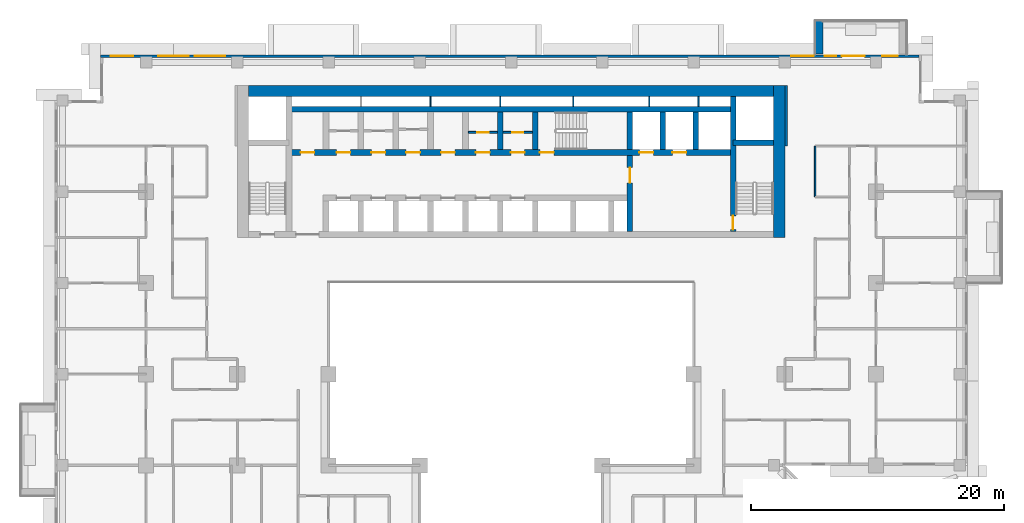
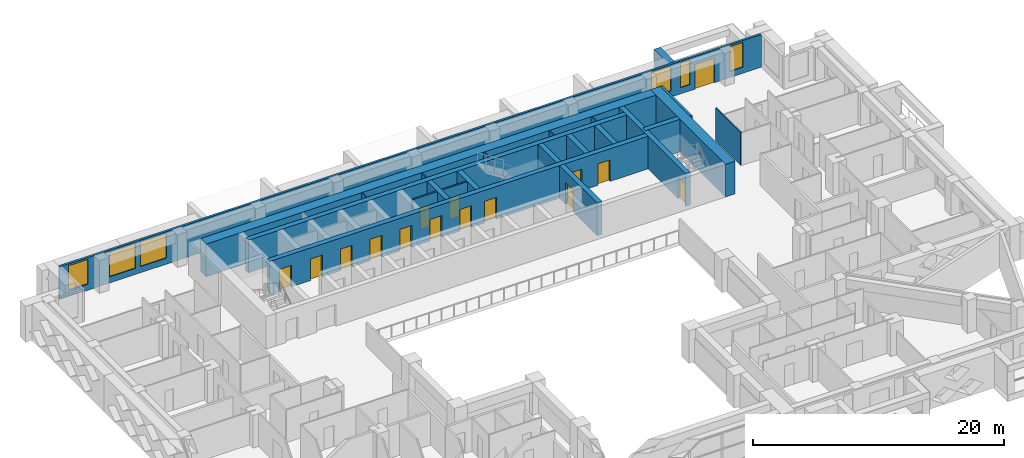
# One storey, part 11 of 17: 23 walls, 15 doors, 6 windows, 21 openings.
"""IFC4 building model written with IfcOpenShell, lengths in metres."""

from ifc_helpers import new_model, si_unit, direction, frame, frame_2d, origin, place, context, subcontext, project, spatial, rectangle, extrude, material, layer, layer_set, type_object, element, fill, save


model = new_model("IFC4")

# Units and contexts
model_context = context("Model", 3, precision=1e-05, world=origin(), true_north=direction((0.0, 1.0)))
body_context = subcontext(model_context, "Body", "Model", "MODEL_VIEW")
ifc_project = project(units=[si_unit("LENGTHUNIT", "METRE"), si_unit("AREAUNIT", "SQUARE_METRE"), si_unit("VOLUMEUNIT", "CUBIC_METRE"), si_unit("PLANEANGLEUNIT", "RADIAN"), si_unit("MASSUNIT", "GRAM", prefix="KILO")], contexts=[model_context])

# Site, building, storey
site_placement = place(None, origin())
site = spatial("IfcSite", under=ifc_project, at=site_placement, CompositionType="ELEMENT")
building_placement = place(site_placement, origin())
building = spatial("IfcBuilding", under=site, at=building_placement, Name="Saffron Iwan Residences", CompositionType="ELEMENT")
storey_placement = place(building_placement, frame((0.0, 0.0, 97.0)))
storey = spatial("IfcBuildingStorey", under=building, at=storey_placement, Name="L25", CompositionType="ELEMENT", Elevation=97.0)

# Wall
ifc_material_1 = material(Name="Concrete C50/60 white painted", Category="concrete")
ifc_layer_1 = layer(ifc_material_1, 0.60009765625)
ifc_layer_set_1 = layer_set([ifc_layer_1], Name="Concrete C50/60 white painted")
wall_type_1 = type_object("IfcWallType", Name="BALCONY FIN 600", PredefinedType="SOLIDWALL", material=ifc_layer_set_1)
wall_1_placement = place(storey_placement, frame((74.699951171875, 80.449951171875, 0.0), z_axis=(0.0, 0.0, 1.0), x_axis=(0.0, 1.0, 0.0)))
element("IfcWall", 1, at=wall_1_placement, inside=storey, type_object=wall_type_1, Name="Balcony fin L25 F5-0b", PredefinedType="SOLIDWALL", context=body_context, shape_type="SweptSolid", body=[
    extrude(rectangle(XDim=2.650146484375, YDim=0.60009765625, at=frame_2d((1.3251953125, 0.0))), origin(), (0.0, 0.0, 1.0), 2.85009765625),
])

# Wall, opening, door
ifc_material_2 = material(Name="Fire-rated plasterboard partition")
ifc_layer_2 = layer(ifc_material_2, 0.14990234375)
ifc_layer_set_2 = layer_set([ifc_layer_2], Name="Fire-rated plasterboard partition")
wall_type_2 = type_object("IfcWallType", Name="Core partition 150", PredefinedType="PARTITIONING", material=ifc_layer_set_2)
wall_2_placement = place(storey_placement, frame((47.02490234375, 74.281982421875, 0.0), z_axis=(0.0, 0.0, 1.0), x_axis=(1.0, 0.0, 0.0)))
wall_2 = element("IfcWall", 2, at=wall_2_placement, inside=storey, type_object=wall_type_2, Name="Core partition P04", PredefinedType="PARTITIONING", context=body_context, shape_type="SweptSolid", body=[
    extrude(rectangle(XDim=2.300048828125, YDim=0.14990234375, at=frame_2d((1.14990234375, 0.0))), origin(), (0.0, 0.0, 1.0), 3.179931640625),
])
opening_1_placement = place(wall_2_placement, frame((0.699951171875, 0.0, 0.0)))
opening_1 = element("IfcOpeningElement", 3, at=opening_1_placement, cuts=wall_2, Name="Opening SB", PredefinedType="OPENING", context=body_context, shape_type="SweptSolid", body=[
    extrude(rectangle(XDim=0.89990234375, YDim=2.10009765625, at=frame_2d((0.449951171875, 1.050048828125))), frame((0.0, 0.0849609375, 0.0), z_axis=(0.0, -1.0, 0.0), x_axis=(1.0, 0.0, 0.0)), (0.0, 0.0, 1.0), 0.169921875),
])
ifc_material_3 = material(Name="Steel fire door", Category="steel")
door_type_1 = type_object("IfcDoorType", Name="Store door 900", OperationType="NOTDEFINED", PredefinedType="DOOR", material=ifc_material_3)
door_1_placement = place(opening_1_placement, origin())
door_1 = element("IfcDoor", 4, at=door_1_placement, inside=storey, type_object=door_type_1, Name="Door Tool store", OperationType="SINGLE_SWING_LEFT", OverallHeight=2.10009765625, OverallWidth=0.89990234375, PredefinedType="DOOR", context=body_context, shape_type="SweptSolid", body=[
    extrude(rectangle(XDim=0.89990234375, YDim=2.10009765625, at=frame_2d((0.449951171875, 1.050048828125))), frame((0.0, 0.02490234375, 0.0), z_axis=(0.0, -1.0, 0.0), x_axis=(1.0, 0.0, 0.0)), (0.0, 0.0, 1.0), 0.050048828125),
])
fill(opening_1, door_1)

wall_3_placement = place(storey_placement, frame((49.77490234375, 74.281982421875, 0.0), z_axis=(0.0, 0.0, 1.0), x_axis=(1.0, 0.0, 0.0)))
wall_3 = element("IfcWall", 5, at=wall_3_placement, inside=storey, type_object=wall_type_2, Name="Core partition P05", PredefinedType="PARTITIONING", context=body_context, shape_type="SweptSolid", body=[
    extrude(rectangle(XDim=2.300048828125, YDim=0.14990234375, at=frame_2d((1.14990234375, 0.0))), origin(), (0.0, 0.0, 1.0), 3.179931640625),
])
opening_2_placement = place(wall_3_placement, frame((0.699951171875, 0.0, 0.0)))
opening_2 = element("IfcOpeningElement", 6, at=opening_2_placement, cuts=wall_3, Name="Opening SB", PredefinedType="OPENING", context=body_context, shape_type="SweptSolid", body=[
    extrude(rectangle(XDim=0.89990234375, YDim=2.10009765625, at=frame_2d((0.449951171875, 1.050048828125))), frame((0.0, 0.0849609375, 0.0), z_axis=(0.0, -1.0, 0.0), x_axis=(1.0, 0.0, 0.0)), (0.0, 0.0, 1.0), 0.169921875),
])
door_2_placement = place(opening_2_placement, origin())
door_2 = element("IfcDoor", 7, at=door_2_placement, inside=storey, type_object=door_type_1, Name="Door Cabling room", OperationType="SINGLE_SWING_RIGHT", OverallHeight=2.10009765625, OverallWidth=0.89990234375, PredefinedType="DOOR", context=body_context, shape_type="SweptSolid", body=[
    extrude(rectangle(XDim=0.89990234375, YDim=2.10009765625, at=frame_2d((0.449951171875, 1.050048828125))), frame((0.0, 0.02490234375, 0.0), z_axis=(0.0, -1.0, 0.0), x_axis=(1.0, 0.0, 0.0)), (0.0, 0.0, 1.0), 0.050048828125),
])
fill(opening_2, door_2)

# Wall, openings, door, windows
ifc_material_4 = material(Name="Concrete C40/50", Category="concrete")
ifc_layer_3 = layer(ifc_material_4, 0.199951171875)
ifc_layer_set_3 = layer_set([ifc_layer_3], Name="Concrete C40/50")
wall_type_3 = type_object("IfcWallType", Name="EXTERNAL WALL 200", PredefinedType="SOLIDWALL", material=ifc_layer_set_3)
wall_4_placement = place(storey_placement, frame((82.60009765625, 80.300048828125, 0.0), z_axis=(0.0, 0.0, 1.0), x_axis=(-1.0, 0.0, 0.0)))
wall_4 = element("IfcWall", 8, at=wall_4_placement, inside=storey, type_object=wall_type_3, Name="External wall L25 F5.0", PredefinedType="SOLIDWALL", context=body_context, shape_type="SweptSolid", body=[
    extrude(rectangle(XDim=64.60009765625, YDim=0.199951171875, at=frame_2d((32.300048828125, 0.0))), origin(), (0.0, 0.0, 1.0), 3.179931640625),
])
opening_3_placement = place(wall_4_placement, frame((4.300048828125, 0.0, 0.0)))
opening_3 = element("IfcOpeningElement", 9, at=opening_3_placement, cuts=wall_4, Name="Opening BD1", PredefinedType="OPENING", context=body_context, shape_type="SweptSolid", body=[
    extrude(rectangle(XDim=1.800048828125, YDim=2.39990234375, at=frame_2d((0.89990234375, 1.199951171875))), frame((0.0, 0.10986328125, 0.0), z_axis=(0.0, -1.0, 0.0), x_axis=(1.0, 0.0, 0.0)), (0.0, 0.0, 1.0), 0.219970703125),
])
opening_4_placement = place(wall_4_placement, frame((54.7666015625, 0.0, 0.60009765625)))
opening_4 = element("IfcOpeningElement", 10, at=opening_4_placement, cuts=wall_4, Name="Opening W1", PredefinedType="OPENING", context=body_context, shape_type="SweptSolid", body=[
    extrude(rectangle(XDim=2.39990234375, YDim=2.39990234375, at=frame_2d((1.199951171875, 1.199951171875))), frame((0.0, 0.10986328125, 0.0), z_axis=(0.0, -1.0, 0.0), x_axis=(1.0, 0.0, 0.0)), (0.0, 0.0, 1.0), 0.219970703125),
])
opening_5_placement = place(wall_4_placement, frame((57.63330078125, 0.0, 0.60009765625)))
opening_5 = element("IfcOpeningElement", 11, at=opening_5_placement, cuts=wall_4, Name="Opening W1", PredefinedType="OPENING", context=body_context, shape_type="SweptSolid", body=[
    extrude(rectangle(XDim=2.39990234375, YDim=2.39990234375, at=frame_2d((1.199951171875, 1.199951171875))), frame((0.0, 0.10986328125, 0.0), z_axis=(0.0, -1.0, 0.0), x_axis=(1.0, 0.0, 0.0)), (0.0, 0.0, 1.0), 0.219970703125),
])
opening_6_placement = place(wall_4_placement, frame((62.0, 0.0, 0.60009765625)))
opening_6 = element("IfcOpeningElement", 12, at=opening_6_placement, cuts=wall_4, Name="Opening W8", PredefinedType="OPENING", context=body_context, shape_type="SweptSolid", body=[
    extrude(rectangle(XDim=1.800048828125, YDim=2.39990234375, at=frame_2d((0.89990234375, 1.199951171875))), frame((0.0, 0.10986328125, 0.0), z_axis=(0.0, -1.0, 0.0), x_axis=(1.0, 0.0, 0.0)), (0.0, 0.0, 1.0), 0.219970703125),
])
opening_7_placement = place(wall_4_placement, frame((1.699951171875, 0.0, 0.60009765625)))
opening_7 = element("IfcOpeningElement", 13, at=opening_7_placement, cuts=wall_4, Name="Opening W3", PredefinedType="OPENING", context=body_context, shape_type="SweptSolid", body=[
    extrude(rectangle(XDim=1.199951171875, YDim=2.39990234375, at=frame_2d((0.60009765625, 1.199951171875))), frame((0.0, 0.10986328125, 0.0), z_axis=(0.0, -1.0, 0.0), x_axis=(1.0, 0.0, 0.0)), (0.0, 0.0, 1.0), 0.219970703125),
])
opening_8_placement = place(wall_4_placement, frame((6.550048828125, 0.0, 0.60009765625)))
opening_8 = element("IfcOpeningElement", 14, at=opening_8_placement, cuts=wall_4, Name="Opening W10", PredefinedType="OPENING", context=body_context, shape_type="SweptSolid", body=[
    extrude(rectangle(XDim=0.89990234375, YDim=2.39990234375, at=frame_2d((0.449951171875, 1.199951171875))), frame((0.0, 0.10986328125, 0.0), z_axis=(0.0, -1.0, 0.0), x_axis=(1.0, 0.0, 0.0)), (0.0, 0.0, 1.0), 0.219970703125),
])
opening_9_placement = place(wall_4_placement, frame((8.300048828125, 0.0, 0.60009765625)))
opening_9 = element("IfcOpeningElement", 15, at=opening_9_placement, cuts=wall_4, Name="Opening W8", PredefinedType="OPENING", context=body_context, shape_type="SweptSolid", body=[
    extrude(rectangle(XDim=1.800048828125, YDim=2.39990234375, at=frame_2d((0.89990234375, 1.199951171875))), frame((0.0, 0.10986328125, 0.0), z_axis=(0.0, -1.0, 0.0), x_axis=(1.0, 0.0, 0.0)), (0.0, 0.0, 1.0), 0.219970703125),
])
ifc_material_5 = material(Name="Clear glass, laminated double glazed", Category="glass")
door_type_2 = type_object("IfcDoorType", Name="BALCONY DOOR 1800 x 2400", OperationType="DOUBLE_DOOR_SLIDING", PredefinedType="DOOR", material=ifc_material_5)
door_3_placement = place(opening_3_placement, origin())
door_3 = element("IfcDoor", 16, at=door_3_placement, inside=storey, type_object=door_type_2, Name="Balcony door L25 F5.0", OperationType="DOUBLE_DOOR_SLIDING", OverallHeight=2.39990234375, OverallWidth=1.800048828125, PredefinedType="DOOR", context=body_context, shape_type="SweptSolid", body=[
    extrude(rectangle(XDim=1.800048828125, YDim=2.39990234375, at=frame_2d((0.89990234375, 1.199951171875))), frame((0.0, 0.02490234375, 0.0), z_axis=(0.0, -1.0, 0.0), x_axis=(1.0, 0.0, 0.0)), (0.0, 0.0, 1.0), 0.050048828125),
])
fill(opening_3, door_3)
window_type_1 = type_object("IfcWindowType", Name="WINDOW 1200 x 2400", PartitioningType="SINGLE_PANEL", PredefinedType="WINDOW", material=ifc_material_5)
window_1_placement = place(opening_7_placement, origin())
window_1 = element("IfcWindow", 17, at=window_1_placement, inside=storey, type_object=window_type_1, Name="Window L25 F5.4", OverallHeight=2.39990234375, OverallWidth=1.199951171875, PartitioningType="SINGLE_PANEL", PredefinedType="WINDOW", context=body_context, shape_type="SweptSolid", body=[
    extrude(rectangle(XDim=1.199951171875, YDim=2.39990234375, at=frame_2d((0.60009765625, 1.199951171875))), frame((0.0, 0.030029296875, 0.0), z_axis=(0.0, -1.0, 0.0), x_axis=(1.0, 0.0, 0.0)), (0.0, 0.0, 1.0), 0.06005859375),
])
fill(opening_7, window_1)
window_type_2 = type_object("IfcWindowType", Name="WINDOW 1800 x 2400", PartitioningType="DOUBLE_PANEL_VERTICAL", PredefinedType="WINDOW", material=ifc_material_5)
window_2_placement = place(opening_6_placement, origin())
window_2 = element("IfcWindow", 18, at=window_2_placement, inside=storey, type_object=window_type_2, Name="Window L25 F5.3", OverallHeight=2.39990234375, OverallWidth=1.800048828125, PartitioningType="DOUBLE_PANEL_VERTICAL", PredefinedType="WINDOW", context=body_context, shape_type="SweptSolid", body=[
    extrude(rectangle(XDim=1.800048828125, YDim=2.39990234375, at=frame_2d((0.89990234375, 1.199951171875))), frame((0.0, 0.030029296875, 0.0), z_axis=(0.0, -1.0, 0.0), x_axis=(1.0, 0.0, 0.0)), (0.0, 0.0, 1.0), 0.06005859375),
])
fill(opening_6, window_2)
window_3_placement = place(opening_9_placement, origin())
window_3 = element("IfcWindow", 19, at=window_3_placement, inside=storey, type_object=window_type_2, Name="Window L25 F5.6", OverallHeight=2.39990234375, OverallWidth=1.800048828125, PartitioningType="DOUBLE_PANEL_VERTICAL", PredefinedType="WINDOW", context=body_context, shape_type="SweptSolid", body=[
    extrude(rectangle(XDim=1.800048828125, YDim=2.39990234375, at=frame_2d((0.89990234375, 1.199951171875))), frame((0.0, 0.030029296875, 0.0), z_axis=(0.0, -1.0, 0.0), x_axis=(1.0, 0.0, 0.0)), (0.0, 0.0, 1.0), 0.06005859375),
])
fill(opening_9, window_3)
window_type_3 = type_object("IfcWindowType", Name="WINDOW 2400 x 2400", PartitioningType="DOUBLE_PANEL_VERTICAL", PredefinedType="WINDOW", material=ifc_material_5)
window_4_placement = place(opening_4_placement, origin())
window_4 = element("IfcWindow", 20, at=window_4_placement, inside=storey, type_object=window_type_3, Name="Window L25 F5.1", OverallHeight=2.39990234375, OverallWidth=2.39990234375, PartitioningType="DOUBLE_PANEL_VERTICAL", PredefinedType="WINDOW", context=body_context, shape_type="SweptSolid", body=[
    extrude(rectangle(XDim=2.39990234375, YDim=2.39990234375, at=frame_2d((1.199951171875, 1.199951171875))), frame((0.0, 0.030029296875, 0.0), z_axis=(0.0, -1.0, 0.0), x_axis=(1.0, 0.0, 0.0)), (0.0, 0.0, 1.0), 0.06005859375),
])
fill(opening_4, window_4)
window_5_placement = place(opening_5_placement, origin())
window_5 = element("IfcWindow", 21, at=window_5_placement, inside=storey, type_object=window_type_3, Name="Window L25 F5.2", OverallHeight=2.39990234375, OverallWidth=2.39990234375, PartitioningType="DOUBLE_PANEL_VERTICAL", PredefinedType="WINDOW", context=body_context, shape_type="SweptSolid", body=[
    extrude(rectangle(XDim=2.39990234375, YDim=2.39990234375, at=frame_2d((1.199951171875, 1.199951171875))), frame((0.0, 0.030029296875, 0.0), z_axis=(0.0, -1.0, 0.0), x_axis=(1.0, 0.0, 0.0)), (0.0, 0.0, 1.0), 0.06005859375),
])
fill(opening_5, window_5)
window_type_4 = type_object("IfcWindowType", Name="WINDOW 900 x 2400", PartitioningType="SINGLE_PANEL", PredefinedType="WINDOW", material=ifc_material_5)
window_6_placement = place(opening_8_placement, origin())
window_6 = element("IfcWindow", 22, at=window_6_placement, inside=storey, type_object=window_type_4, Name="Window L25 F5.5", OverallHeight=2.39990234375, OverallWidth=0.89990234375, PartitioningType="SINGLE_PANEL", PredefinedType="WINDOW", context=body_context, shape_type="SweptSolid", body=[
    extrude(rectangle(XDim=0.89990234375, YDim=2.39990234375, at=frame_2d((0.449951171875, 1.199951171875))), frame((0.0, 0.030029296875, 0.0), z_axis=(0.0, -1.0, 0.0), x_axis=(1.0, 0.0, 0.0)), (0.0, 0.0, 1.0), 0.06005859375),
])
fill(opening_8, window_6)

# Walls
ifc_material_6 = material(Name="Gypsum board partition")
ifc_layer_4 = layer(ifc_material_6, 0.1201171875)
ifc_layer_set_4 = layer_set([ifc_layer_4], Name="Gypsum board partition")
wall_type_4 = type_object("IfcWallType", Name="Flat partition 120", PredefinedType="PARTITIONING", material=ifc_layer_set_4)
wall_5_placement = place(storey_placement, frame((74.39990234375, 69.199951171875, 0.0), z_axis=(0.0, 0.0, 1.0), x_axis=(0.0, 1.0, 0.0)))
element("IfcWall", 23, at=wall_5_placement, inside=storey, type_object=wall_type_4, Name="W-L25-PART-v74.4-69.2", PredefinedType="PARTITIONING", context=body_context, shape_type="SweptSolid", body=[
    extrude(rectangle(XDim=4.0, YDim=0.1201171875, at=frame_2d((2.0, 0.0))), origin(), (0.0, 0.0, 1.0), 3.179931640625),
])
ifc_material_7 = material(Name="Fire-rated gypsum board wall")
ifc_layer_5 = layer(ifc_material_7, 0.199951171875)
ifc_layer_set_5 = layer_set([ifc_layer_5], Name="Fire-rated gypsum board wall")
wall_type_5 = type_object("IfcWallType", Name="Gallery wall 200", PredefinedType="SOLIDWALL", material=ifc_layer_set_5)
wall_6_placement = place(storey_placement, frame((72.10009765625, 73.199951171875, 0.0), z_axis=(0.0, 0.0, 1.0), x_axis=(0.0, 1.0, 0.0)))
element("IfcWall", 24, at=wall_6_placement, inside=storey, type_object=wall_type_5, Name="W-L25-CORR-v72-73.2", PredefinedType="SOLIDWALL", context=body_context, shape_type="SweptSolid", body=[
    extrude(rectangle(XDim=4.800048828125, YDim=0.199951171875, at=frame_2d((2.39990234375, 0.0))), origin(), (0.0, 0.0, 1.0), 3.179931640625),
])
ifc_layer_6 = layer(ifc_material_2, 0.10009765625)
ifc_layer_set_6 = layer_set([ifc_layer_6], Name="Fire-rated plasterboard partition")
wall_type_6 = type_object("IfcWallType", Name="Riser partition 100", PredefinedType="PARTITIONING", material=ifc_layer_set_6)
for number, where, z_axis, x_axis, name in (
    (25, (44.050048828125, 76.324951171875, 0.0), (0.0, 0.0, 1.0), (0.0, 1.0, 0.0), "Core partition P07"),
    (26, (49.550048828125, 76.324951171875, 0.0), (0.0, 0.0, 1.0), (0.0, 1.0, 0.0), "Core partition P08"),
    (27, (55.300048828125, 76.324951171875, 0.0), (0.0, 0.0, 1.0), (0.0, 1.0, 0.0), "Core partition P09"),
    (28, (61.300048828125, 76.324951171875, 0.0), (0.0, 0.0, 1.0), (0.0, 1.0, 0.0), "Core partition P10"),
    (29, (65.199951171875, 76.324951171875, 0.0), (0.0, 0.0, 1.0), (0.0, 1.0, 0.0), "Core partition P11"),
):
    element("IfcWall", number, at=place(storey_placement, frame(where, z_axis=z_axis, x_axis=x_axis)), inside=storey, type_object=wall_type_6, Name=name, PredefinedType="PARTITIONING", context=body_context, shape_type="SweptSolid", body=[
        extrude(rectangle(XDim=0.775146484375, YDim=0.10009765625, at=frame_2d((0.3876953125, 0.0))), origin(), (0.0, 0.0, 1.0), 3.179931640625),
    ])

# Wall, openings, doors
ifc_material_8 = material(Name="Concrete C60/75", Category="concrete")
ifc_layer_7 = layer(ifc_material_8, 0.449951171875)
ifc_layer_set_7 = layer_set([ifc_layer_7], Name="Concrete C60/75")
wall_type_7 = type_object("IfcWallType", Name="WALL CORE 450 C60/75 3180 HIGH", PredefinedType="SHEAR", material=ifc_layer_set_7)
wall_7_placement = place(storey_placement, frame((32.875, 72.699951171875, 0.0), z_axis=(0.0, 0.0, 1.0), x_axis=(1.0, 0.0, 0.0)))
wall_7 = element("IfcWall", 30, at=wall_7_placement, inside=storey, type_object=wall_type_7, Name="Core wall", PredefinedType="SHEAR", context=body_context, shape_type="SweptSolid", body=[
    extrude(rectangle(XDim=35.050048828125, YDim=0.449951171875, at=frame_2d((17.52490234375, 0.0))), origin(), (0.0, 0.0, 1.0), 3.179931640625),
])
opening_10_placement = place(wall_7_placement, frame((19.800048828125, 0.0, 0.0)))
opening_10 = element("IfcOpeningElement", 31, at=opening_10_placement, cuts=wall_7, Name="Opening SD", PredefinedType="OPENING", context=body_context, shape_type="SweptSolid", body=[
    extrude(rectangle(XDim=1.10009765625, YDim=2.10009765625, at=frame_2d((0.550048828125, 1.050048828125))), frame((0.0, 0.23486328125, 0.0), z_axis=(0.0, -1.0, 0.0), x_axis=(1.0, 0.0, 0.0)), (0.0, 0.0, 1.0), 0.469970703125),
])
opening_11_placement = place(wall_7_placement, frame((27.64990234375, 0.0, 0.0)))
opening_11 = element("IfcOpeningElement", 32, at=opening_11_placement, cuts=wall_7, Name="Opening LD", PredefinedType="OPENING", context=body_context, shape_type="SweptSolid", body=[
    extrude(rectangle(XDim=1.10009765625, YDim=2.10009765625, at=frame_2d((0.550048828125, 1.050048828125))), frame((0.0, 0.23486328125, 0.0), z_axis=(0.0, -1.0, 0.0), x_axis=(1.0, 0.0, 0.0)), (0.0, 0.0, 1.0), 0.469970703125),
])
opening_12_placement = place(wall_7_placement, frame((30.25, 0.0, 0.0)))
opening_12 = element("IfcOpeningElement", 33, at=opening_12_placement, cuts=wall_7, Name="Opening LD", PredefinedType="OPENING", context=body_context, shape_type="SweptSolid", body=[
    extrude(rectangle(XDim=1.10009765625, YDim=2.10009765625, at=frame_2d((0.550048828125, 1.050048828125))), frame((0.0, 0.23486328125, 0.0), z_axis=(0.0, -1.0, 0.0), x_axis=(1.0, 0.0, 0.0)), (0.0, 0.0, 1.0), 0.469970703125),
])
opening_13_placement = place(wall_7_placement, frame((3.75, 0.0, 0.0)))
opening_13 = element("IfcOpeningElement", 34, at=opening_13_placement, cuts=wall_7, Name="Opening SR", PredefinedType="OPENING", context=body_context, shape_type="SweptSolid", body=[
    extrude(rectangle(XDim=1.10009765625, YDim=2.10009765625, at=frame_2d((0.550048828125, 1.050048828125))), frame((0.0, 0.23486328125, 0.0), z_axis=(0.0, -1.0, 0.0), x_axis=(1.0, 0.0, 0.0)), (0.0, 0.0, 1.0), 0.469970703125),
])
opening_14_placement = place(wall_7_placement, frame((6.5, 0.0, 0.0)))
opening_14 = element("IfcOpeningElement", 35, at=opening_14_placement, cuts=wall_7, Name="Opening SR", PredefinedType="OPENING", context=body_context, shape_type="SweptSolid", body=[
    extrude(rectangle(XDim=1.10009765625, YDim=2.10009765625, at=frame_2d((0.550048828125, 1.050048828125))), frame((0.0, 0.23486328125, 0.0), z_axis=(0.0, -1.0, 0.0), x_axis=(1.0, 0.0, 0.0)), (0.0, 0.0, 1.0), 0.469970703125),
])
opening_15_placement = place(wall_7_placement, frame((9.25, 0.0, 0.0)))
opening_15 = element("IfcOpeningElement", 36, at=opening_15_placement, cuts=wall_7, Name="Opening SR", PredefinedType="OPENING", context=body_context, shape_type="SweptSolid", body=[
    extrude(rectangle(XDim=1.10009765625, YDim=2.10009765625, at=frame_2d((0.550048828125, 1.050048828125))), frame((0.0, 0.23486328125, 0.0), z_axis=(0.0, -1.0, 0.0), x_axis=(1.0, 0.0, 0.0)), (0.0, 0.0, 1.0), 0.469970703125),
])
opening_16_placement = place(wall_7_placement, frame((12.0, 0.0, 0.0)))
opening_16 = element("IfcOpeningElement", 37, at=opening_16_placement, cuts=wall_7, Name="Opening SR", PredefinedType="OPENING", context=body_context, shape_type="SweptSolid", body=[
    extrude(rectangle(XDim=1.10009765625, YDim=2.10009765625, at=frame_2d((0.550048828125, 1.050048828125))), frame((0.0, 0.23486328125, 0.0), z_axis=(0.0, -1.0, 0.0), x_axis=(1.0, 0.0, 0.0)), (0.0, 0.0, 1.0), 0.469970703125),
])
opening_17_placement = place(wall_7_placement, frame((14.75, 0.0, 0.0)))
opening_17 = element("IfcOpeningElement", 38, at=opening_17_placement, cuts=wall_7, Name="Opening SR", PredefinedType="OPENING", context=body_context, shape_type="SweptSolid", body=[
    extrude(rectangle(XDim=1.10009765625, YDim=2.10009765625, at=frame_2d((0.550048828125, 1.050048828125))), frame((0.0, 0.23486328125, 0.0), z_axis=(0.0, -1.0, 0.0), x_axis=(1.0, 0.0, 0.0)), (0.0, 0.0, 1.0), 0.469970703125),
])
opening_18_placement = place(wall_7_placement, frame((17.5, 0.0, 0.0)))
opening_18 = element("IfcOpeningElement", 39, at=opening_18_placement, cuts=wall_7, Name="Opening SR", PredefinedType="OPENING", context=body_context, shape_type="SweptSolid", body=[
    extrude(rectangle(XDim=1.10009765625, YDim=2.10009765625, at=frame_2d((0.550048828125, 1.050048828125))), frame((0.0, 0.23486328125, 0.0), z_axis=(0.0, -1.0, 0.0), x_axis=(1.0, 0.0, 0.0)), (0.0, 0.0, 1.0), 0.469970703125),
])
opening_19_placement = place(wall_7_placement, frame((0.91259765625, 0.0, 0.0)))
opening_19 = element("IfcOpeningElement", 40, at=opening_19_placement, cuts=wall_7, Name="Opening SR", PredefinedType="OPENING", context=body_context, shape_type="SweptSolid", body=[
    extrude(rectangle(XDim=1.10009765625, YDim=2.10009765625, at=frame_2d((0.550048828125, 1.050048828125))), frame((0.0, 0.23486328125, 0.0), z_axis=(0.0, -1.0, 0.0), x_axis=(1.0, 0.0, 0.0)), (0.0, 0.0, 1.0), 0.469970703125),
])
door_type_3 = type_object("IfcDoorType", Name="Lift landing door 1100", OperationType="SLIDING_TO_LEFT", PredefinedType="DOOR", material=ifc_material_3)
door_4_placement = place(opening_11_placement, origin())
door_4 = element("IfcDoor", 41, at=door_4_placement, inside=storey, type_object=door_type_3, Name="Landing doors FF1", OperationType="SLIDING_TO_LEFT", OverallHeight=2.10009765625, OverallWidth=1.10009765625, PredefinedType="DOOR", context=body_context, shape_type="SweptSolid", body=[
    extrude(rectangle(XDim=1.10009765625, YDim=2.10009765625, at=frame_2d((0.550048828125, 1.050048828125))), frame((0.0, 0.02490234375, 0.0), z_axis=(0.0, -1.0, 0.0), x_axis=(1.0, 0.0, 0.0)), (0.0, 0.0, 1.0), 0.050048828125),
])
fill(opening_11, door_4)
door_5_placement = place(opening_12_placement, origin())
door_5 = element("IfcDoor", 42, at=door_5_placement, inside=storey, type_object=door_type_3, Name="Landing doors FF2", OperationType="SLIDING_TO_LEFT", OverallHeight=2.10009765625, OverallWidth=1.10009765625, PredefinedType="DOOR", context=body_context, shape_type="SweptSolid", body=[
    extrude(rectangle(XDim=1.10009765625, YDim=2.10009765625, at=frame_2d((0.550048828125, 1.050048828125))), frame((0.0, 0.02490234375, 0.0), z_axis=(0.0, -1.0, 0.0), x_axis=(1.0, 0.0, 0.0)), (0.0, 0.0, 1.0), 0.050048828125),
])
fill(opening_12, door_5)
door_type_4 = type_object("IfcDoorType", Name="Service door 1100", OperationType="NOTDEFINED", PredefinedType="DOOR", material=ifc_material_3)
door_6_placement = place(opening_13_placement, origin())
door_6 = element("IfcDoor", 43, at=door_6_placement, inside=storey, type_object=door_type_4, Name="Door Pantry", OperationType="SINGLE_SWING_LEFT", OverallHeight=2.10009765625, OverallWidth=1.10009765625, PredefinedType="DOOR", context=body_context, shape_type="SweptSolid", body=[
    extrude(rectangle(XDim=1.10009765625, YDim=2.10009765625, at=frame_2d((0.550048828125, 1.050048828125))), frame((0.0, 0.02490234375, 0.0), z_axis=(0.0, -1.0, 0.0), x_axis=(1.0, 0.0, 0.0)), (0.0, 0.0, 1.0), 0.050048828125),
])
fill(opening_13, door_6)
door_7_placement = place(opening_14_placement, origin())
door_7 = element("IfcDoor", 44, at=door_7_placement, inside=storey, type_object=door_type_4, Name="Door Electrical room", OperationType="SINGLE_SWING_LEFT", OverallHeight=2.10009765625, OverallWidth=1.10009765625, PredefinedType="DOOR", context=body_context, shape_type="SweptSolid", body=[
    extrude(rectangle(XDim=1.10009765625, YDim=2.10009765625, at=frame_2d((0.550048828125, 1.050048828125))), frame((0.0, 0.02490234375, 0.0), z_axis=(0.0, -1.0, 0.0), x_axis=(1.0, 0.0, 0.0)), (0.0, 0.0, 1.0), 0.050048828125),
])
fill(opening_14, door_7)
door_8_placement = place(opening_15_placement, origin())
door_8 = element("IfcDoor", 45, at=door_8_placement, inside=storey, type_object=door_type_4, Name="Door Luggage store", OperationType="SINGLE_SWING_LEFT", OverallHeight=2.10009765625, OverallWidth=1.10009765625, PredefinedType="DOOR", context=body_context, shape_type="SweptSolid", body=[
    extrude(rectangle(XDim=1.10009765625, YDim=2.10009765625, at=frame_2d((0.550048828125, 1.050048828125))), frame((0.0, 0.02490234375, 0.0), z_axis=(0.0, -1.0, 0.0), x_axis=(1.0, 0.0, 0.0)), (0.0, 0.0, 1.0), 0.050048828125),
])
fill(opening_15, door_8)
door_9_placement = place(opening_16_placement, origin())
door_9 = element("IfcDoor", 46, at=door_9_placement, inside=storey, type_object=door_type_4, Name="Door Refuse store", OperationType="SINGLE_SWING_LEFT", OverallHeight=2.10009765625, OverallWidth=1.10009765625, PredefinedType="DOOR", context=body_context, shape_type="SweptSolid", body=[
    extrude(rectangle(XDim=1.10009765625, YDim=2.10009765625, at=frame_2d((0.550048828125, 1.050048828125))), frame((0.0, 0.02490234375, 0.0), z_axis=(0.0, -1.0, 0.0), x_axis=(1.0, 0.0, 0.0)), (0.0, 0.0, 1.0), 0.050048828125),
])
fill(opening_16, door_9)
door_10_placement = place(opening_17_placement, origin())
door_10 = element("IfcDoor", 47, at=door_10_placement, inside=storey, type_object=door_type_4, Name="Door Maintenance store", OperationType="SINGLE_SWING_LEFT", OverallHeight=2.10009765625, OverallWidth=1.10009765625, PredefinedType="DOOR", context=body_context, shape_type="SweptSolid", body=[
    extrude(rectangle(XDim=1.10009765625, YDim=2.10009765625, at=frame_2d((0.550048828125, 1.050048828125))), frame((0.0, 0.02490234375, 0.0), z_axis=(0.0, -1.0, 0.0), x_axis=(1.0, 0.0, 0.0)), (0.0, 0.0, 1.0), 0.050048828125),
])
fill(opening_17, door_10)
door_11_placement = place(opening_18_placement, origin())
door_11 = element("IfcDoor", 48, at=door_11_placement, inside=storey, type_object=door_type_4, Name="Door Linen store", OperationType="SINGLE_SWING_LEFT", OverallHeight=2.10009765625, OverallWidth=1.10009765625, PredefinedType="DOOR", context=body_context, shape_type="SweptSolid", body=[
    extrude(rectangle(XDim=1.10009765625, YDim=2.10009765625, at=frame_2d((0.550048828125, 1.050048828125))), frame((0.0, 0.02490234375, 0.0), z_axis=(0.0, -1.0, 0.0), x_axis=(1.0, 0.0, 0.0)), (0.0, 0.0, 1.0), 0.050048828125),
])
fill(opening_18, door_11)
door_12_placement = place(opening_19_placement, origin())
door_12 = element("IfcDoor", 49, at=door_12_placement, inside=storey, type_object=door_type_4, Name="Door Storage room", OperationType="SINGLE_SWING_LEFT", OverallHeight=2.10009765625, OverallWidth=1.10009765625, PredefinedType="DOOR", context=body_context, shape_type="SweptSolid", body=[
    extrude(rectangle(XDim=1.10009765625, YDim=2.10009765625, at=frame_2d((0.550048828125, 1.050048828125))), frame((0.0, 0.02490234375, 0.0), z_axis=(0.0, -1.0, 0.0), x_axis=(1.0, 0.0, 0.0)), (0.0, 0.0, 1.0), 0.050048828125),
])
fill(opening_19, door_12)
door_type_5 = type_object("IfcDoorType", Name="Stair door 1100", OperationType="NOTDEFINED", PredefinedType="DOOR", material=ifc_material_3)
door_13_placement = place(opening_10_placement, origin())
door_13 = element("IfcDoor", 50, at=door_13_placement, inside=storey, type_object=door_type_5, Name="Stair door ST-C", OperationType="SINGLE_SWING_LEFT", OverallHeight=2.10009765625, OverallWidth=1.10009765625, PredefinedType="DOOR", context=body_context, shape_type="SweptSolid", body=[
    extrude(rectangle(XDim=1.10009765625, YDim=2.10009765625, at=frame_2d((0.550048828125, 1.050048828125))), frame((0.0, 0.02490234375, 0.0), z_axis=(0.0, -1.0, 0.0), x_axis=(1.0, 0.0, 0.0)), (0.0, 0.0, 1.0), 0.050048828125),
])
fill(opening_10, door_13)

# Walls
wall_8_placement = place(storey_placement, frame((32.875, 76.10009765625, 0.0), z_axis=(0.0, 0.0, 1.0), x_axis=(1.0, 0.0, 0.0)))
element("IfcWall", 51, at=wall_8_placement, inside=storey, type_object=wall_type_7, Name="Core wall", PredefinedType="SHEAR", context=body_context, shape_type="SweptSolid", body=[
    extrude(rectangle(XDim=35.050048828125, YDim=0.449951171875, at=frame_2d((17.52490234375, 0.0))), origin(), (0.0, 0.0, 1.0), 3.179931640625),
])
wall_9_placement = place(storey_placement, frame((67.925048828125, 73.47509765625, 0.0), z_axis=(0.0, 0.0, 1.0), x_axis=(1.0, 0.0, 0.0)))
element("IfcWall", 52, at=wall_9_placement, inside=storey, type_object=wall_type_7, Name="Core wall", PredefinedType="SHEAR", context=body_context, shape_type="SweptSolid", body=[
    extrude(rectangle(XDim=3.175048828125, YDim=0.449951171875, at=frame_2d((1.58740234375, 0.0))), origin(), (0.0, 0.0, 1.0), 3.179931640625),
])

# Wall, opening, door
wall_10_placement = place(storey_placement, frame((67.925048828125, 66.449951171875, 0.0), z_axis=(0.0, 0.0, 1.0), x_axis=(0.0, 1.0, 0.0)))
wall_10 = element("IfcWall", 53, at=wall_10_placement, inside=storey, type_object=wall_type_7, Name="Core wall", PredefinedType="SHEAR", context=body_context, shape_type="SweptSolid", body=[
    extrude(rectangle(XDim=10.650146484375, YDim=0.449951171875, at=frame_2d((5.3251953125, 0.0))), origin(), (0.0, 0.0, 1.0), 3.179931640625),
])
opening_20_placement = place(wall_10_placement, frame((0.14990234375, 0.0, 0.0)))
opening_20 = element("IfcOpeningElement", 54, at=opening_20_placement, cuts=wall_10, Name="Opening SD", PredefinedType="OPENING", context=body_context, shape_type="SweptSolid", body=[
    extrude(rectangle(XDim=1.10009765625, YDim=2.10009765625, at=frame_2d((0.550048828125, 1.050048828125))), frame((0.0, 0.23486328125, 0.0), z_axis=(0.0, -1.0, 0.0), x_axis=(1.0, 0.0, 0.0)), (0.0, 0.0, 1.0), 0.469970703125),
])
door_14_placement = place(opening_20_placement, origin())
door_14 = element("IfcDoor", 55, at=door_14_placement, inside=storey, type_object=door_type_5, Name="Stair door ST-E", OperationType="SINGLE_SWING_LEFT", OverallHeight=2.10009765625, OverallWidth=1.10009765625, PredefinedType="DOOR", context=body_context, shape_type="SweptSolid", body=[
    extrude(rectangle(XDim=1.10009765625, YDim=2.10009765625, at=frame_2d((0.550048828125, 1.050048828125))), frame((0.0, 0.02490234375, 0.0), z_axis=(0.0, -1.0, 0.0), x_axis=(1.0, 0.0, 0.0)), (0.0, 0.0, 1.0), 0.050048828125),
])
fill(opening_20, door_14)

wall_11_placement = place(storey_placement, frame((59.77490234375, 66.449951171875, 0.0), z_axis=(0.0, 0.0, 1.0), x_axis=(0.0, 1.0, 0.0)))
wall_11 = element("IfcWall", 56, at=wall_11_placement, inside=storey, type_object=wall_type_7, Name="Core wall", PredefinedType="SHEAR", context=body_context, shape_type="SweptSolid", body=[
    extrude(rectangle(XDim=6.025146484375, YDim=0.449951171875, at=frame_2d((3.0126953125, 0.0))), origin(), (0.0, 0.0, 1.0), 3.179931640625),
])
opening_21_placement = place(wall_11_placement, frame((3.85009765625, 0.0, 0.0)))
opening_21 = element("IfcOpeningElement", 57, at=opening_21_placement, cuts=wall_11, Name="Opening FD", PredefinedType="OPENING", context=body_context, shape_type="SweptSolid", body=[
    extrude(rectangle(XDim=1.199951171875, YDim=2.10009765625, at=frame_2d((0.60009765625, 1.050048828125))), frame((0.0, 0.23486328125, 0.0), z_axis=(0.0, -1.0, 0.0), x_axis=(1.0, 0.0, 0.0)), (0.0, 0.0, 1.0), 0.469970703125),
])
door_type_6 = type_object("IfcDoorType", Name="Firefighting lobby door 1200", OperationType="NOTDEFINED", PredefinedType="DOOR", material=ifc_material_3)
door_15_placement = place(opening_21_placement, origin())
door_15 = element("IfcDoor", 58, at=door_15_placement, inside=storey, type_object=door_type_6, Name="Firefighting lobby door", OperationType="SINGLE_SWING_RIGHT", OverallHeight=2.10009765625, OverallWidth=1.199951171875, PredefinedType="DOOR", context=body_context, shape_type="SweptSolid", body=[
    extrude(rectangle(XDim=1.199951171875, YDim=2.10009765625, at=frame_2d((0.60009765625, 1.050048828125))), frame((0.0, 0.02490234375, 0.0), z_axis=(0.0, -1.0, 0.0), x_axis=(1.0, 0.0, 0.0)), (0.0, 0.0, 1.0), 0.050048828125),
])
fill(opening_21, door_15)

# Walls
for number, where, z_axis, x_axis, name in (
    (59, (59.77490234375, 72.925048828125, 0.0), (0.0, 0.0, 1.0), (0.0, 1.0, 0.0), "Core wall"),
    (60, (49.550048828125, 72.925048828125, 0.0), (0.0, 0.0, 1.0), (0.0, 1.0, 0.0), "Core wall"),
    (61, (52.300048828125, 72.925048828125, 0.0), (0.0, 0.0, 1.0), (0.0, 1.0, 0.0), "Core wall"),
    (62, (62.375, 72.925048828125, 0.0), (0.0, 0.0, 1.0), (0.0, 1.0, 0.0), "Core wall"),
    (63, (64.97509765625, 72.925048828125, 0.0), (0.0, 0.0, 1.0), (0.0, 1.0, 0.0), "Core wall"),
):
    element("IfcWall", number, at=place(storey_placement, frame(where, z_axis=z_axis, x_axis=x_axis)), inside=storey, type_object=wall_type_7, Name=name, PredefinedType="SHEAR", context=body_context, shape_type="SweptSolid", body=[
        extrude(rectangle(XDim=2.949951171875, YDim=0.449951171875, at=frame_2d((1.47509765625, 0.0))), origin(), (0.0, 0.0, 1.0), 3.179931640625),
    ])
ifc_layer_8 = layer(ifc_material_8, 0.89990234375)
ifc_layer_set_8 = layer_set([ifc_layer_8], Name="Concrete C60/75")
wall_type_8 = type_object("IfcWallType", Name="WALL CORE 900 C60/75 3180 HIGH", PredefinedType="SHEAR", material=ifc_layer_set_8)
wall_12_placement = place(storey_placement, frame((71.550048828125, 66.0, 0.0), z_axis=(0.0, 0.0, 1.0), x_axis=(0.0, 1.0, 0.0)))
element("IfcWall", 64, at=wall_12_placement, inside=storey, type_object=wall_type_8, Name="Core wall", PredefinedType="SHEAR", context=body_context, shape_type="SweptSolid", body=[
    extrude(rectangle(XDim=12.0, YDim=0.89990234375, at=frame_2d((6.0, 0.0))), origin(), (0.0, 0.0, 1.0), 3.179931640625),
])
wall_13_placement = place(storey_placement, frame((29.699951171875, 77.550048828125, 0.0), z_axis=(0.0, 0.0, 1.0), x_axis=(1.0, 0.0, 0.0)))
element("IfcWall", 65, at=wall_13_placement, inside=storey, type_object=wall_type_8, Name="Core wall", PredefinedType="SHEAR", context=body_context, shape_type="SweptSolid", body=[
    extrude(rectangle(XDim=41.400146484375, YDim=0.89990234375, at=frame_2d((20.7001953125, 0.0))), origin(), (0.0, 0.0, 1.0), 3.179931640625),
])

save(model, "model.ifc")
